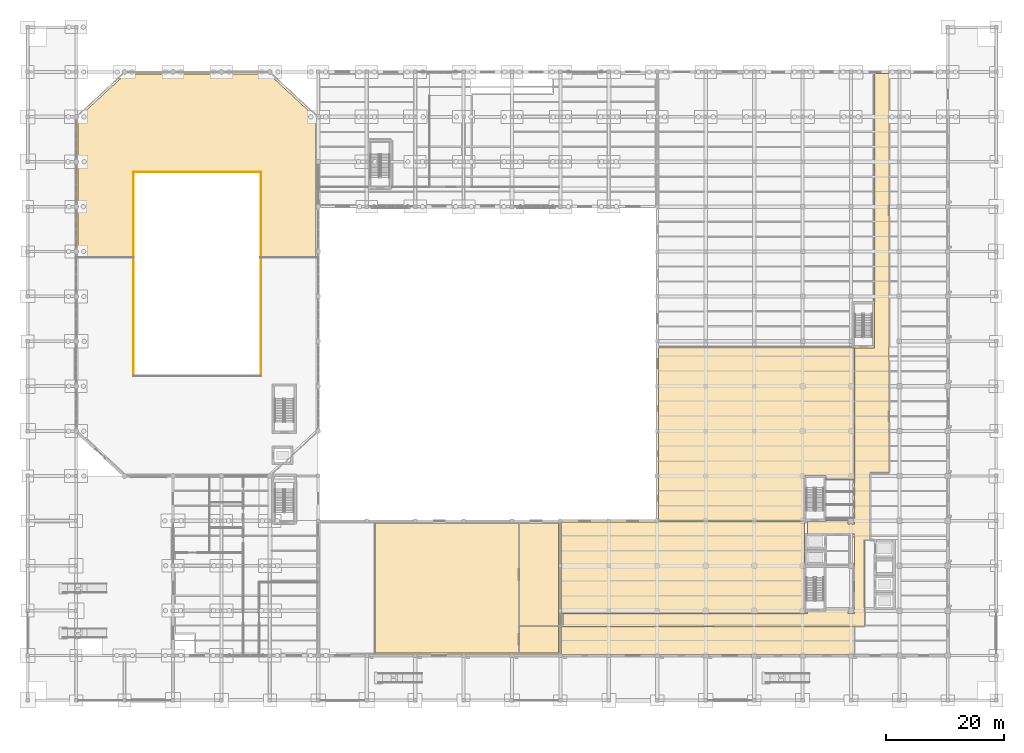
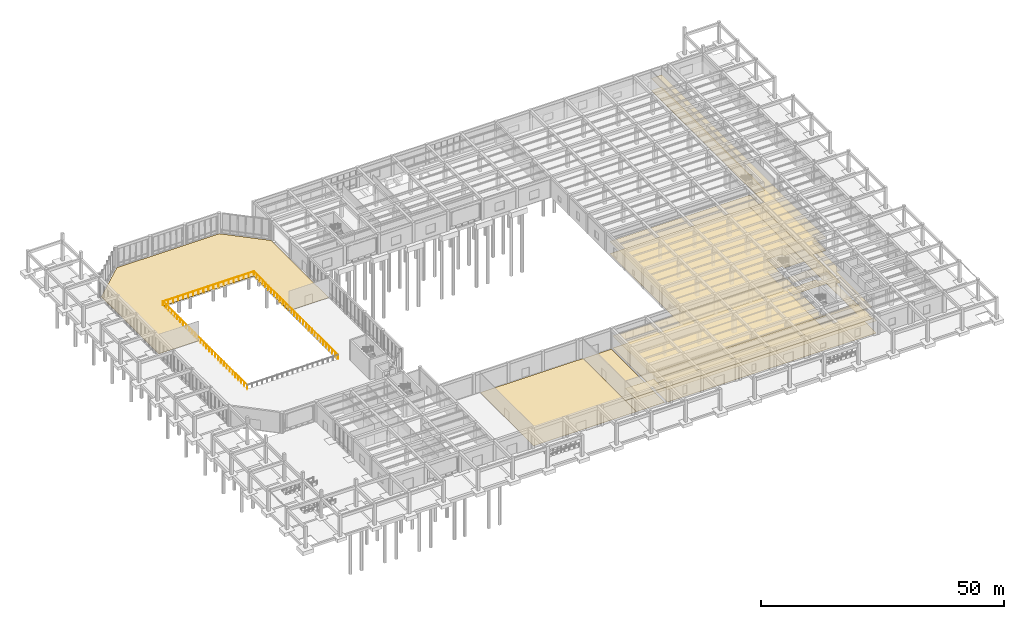
# One storey, part 57 of 64: 13 coverings, 3 railings.
"""IFC4 building model written with IfcOpenShell, lengths in metres."""

from ifc_helpers import new_model, si_unit, direction, frame, origin, origin_2d, place, context, subcontext, project, spatial, polyline, circle, outline, extrude, material, layer, layer_set, type_object, element, save


model = new_model("IFC4")

# Units and contexts
model_context = context("Model", 3, precision=1e-05, world=origin(), true_north=direction((0.0, 1.0)))
body_context = subcontext(model_context, "Body", "Model", "MODEL_VIEW")
ifc_project = project(units=[si_unit("LENGTHUNIT", "METRE"), si_unit("AREAUNIT", "SQUARE_METRE"), si_unit("VOLUMEUNIT", "CUBIC_METRE"), si_unit("PLANEANGLEUNIT", "RADIAN"), si_unit("MASSUNIT", "GRAM", prefix="KILO")], contexts=[model_context])

# Site, building, storey
site_placement = place(None, origin())
site = spatial("IfcSite", under=ifc_project, at=site_placement, CompositionType="ELEMENT")
building_placement = place(site_placement, origin())
building = spatial("IfcBuilding", under=site, at=building_placement, Name="Qandaris Square Conservatory and Botanical Centre", CompositionType="ELEMENT")
storey_placement = place(building_placement, origin())
storey = spatial("IfcBuildingStorey", under=building, at=storey_placement, Name="L00", CompositionType="ELEMENT", Elevation=0.0)

# Coverings
ifc_material_1 = material(Name="Engineered Oak Timber", Category="wood")
ifc_layer_1 = layer(ifc_material_1, 0.02490234375)
ifc_layer_set_1 = layer_set([ifc_layer_1], Name="Engineered Oak Timber")
covering_type_1 = type_object("IfcCoveringType", Name="Acoustic Timber Auditorium Flooring", PredefinedType="FLOORING", material=ifc_layer_set_1)
covering_1_placement = place(storey_placement, origin())
element("IfcCovering", 1, at=covering_1_placement, inside=storey, type_object=covering_type_1, Name="Botanical Symposium Auditorium Flooring", PredefinedType="FLOORING", context=body_context, shape_type="SweptSolid", body=[
    extrude(outline(polyline([(66.800048828125, 39.0), (91.199951171875, 39.0), (91.199951171875, 17.0), (66.800048828125, 17.0), (66.800048828125, 39.0)])), origin(), (0.0, 0.0, 1.0), 0.02490234375),
])
covering_2_placement = place(storey_placement, origin())
element("IfcCovering", 2, at=covering_2_placement, inside=storey, type_object=covering_type_1, Name="Auditorium Stage and Wing Flooring", PredefinedType="FLOORING", context=body_context, shape_type="SweptSolid", body=[
    extrude(outline(polyline([(91.199951171875, 39.0), (97.89990234375, 39.0), (97.89990234375, 21.60009765625), (91.199951171875, 21.60009765625), (91.199951171875, 39.0)])), origin(), (0.0, 0.0, 1.0), 0.02490234375),
])

# Railings
ifc_material_2 = material(Name="Tempered Low-E Glass", Category="glass")
railing_type = type_object("IfcRailingType", Name="Conservatory Skywalk Glazed Balustrade 1150mm", PredefinedType="BALUSTRADE", material=ifc_material_2)
railing_1_placement = place(storey_placement, frame((47.47998046875, 63.919921875, 0.0)))
element("IfcRailing", 3, at=railing_1_placement, inside=storey, type_object=railing_type, Name="Conservatory Sunken Biome Balustrade 2", PredefinedType="BALUSTRADE", context=body_context, shape_type="SweptSolid", body=[
    extrude(circle(Radius=0.02392578125, at=origin_2d()), frame((0.0, 0.0, 1.1259765625), z_axis=(0.0, 1.0, 0.0), x_axis=(-1.0, 0.0, 0.0)), (0.0, 0.0, 1.0), 34.56005859375),
    extrude(circle(Radius=0.02099609375, at=origin_2d()), origin(), (0.0, 0.0, 1.0), 1.101806640625),
    extrude(circle(Radius=0.02099609375, at=origin_2d()), frame((0.0, 1.191650390625, 0.0)), (0.0, 0.0, 1.0), 1.101806640625),
    extrude(circle(Radius=0.02099609375, at=origin_2d()), frame((0.0, 2.383544921875, 0.0)), (0.0, 0.0, 1.0), 1.101806640625),
    extrude(circle(Radius=0.02099609375, at=origin_2d()), frame((0.0, 3.5751953125, 0.0)), (0.0, 0.0, 1.0), 1.101806640625),
    extrude(circle(Radius=0.02099609375, at=origin_2d()), frame((0.0, 4.766845703125, 0.0)), (0.0, 0.0, 1.0), 1.101806640625),
    extrude(circle(Radius=0.02099609375, at=origin_2d()), frame((0.0, 5.958740234375, 0.0)), (0.0, 0.0, 1.0), 1.101806640625),
    extrude(circle(Radius=0.02099609375, at=origin_2d()), frame((0.0, 7.150390625, 0.0)), (0.0, 0.0, 1.0), 1.101806640625),
    extrude(circle(Radius=0.02099609375, at=origin_2d()), frame((0.0, 8.342041015625, 0.0)), (0.0, 0.0, 1.0), 1.101806640625),
    extrude(circle(Radius=0.02099609375, at=origin_2d()), frame((0.0, 9.53369140625, 0.0)), (0.0, 0.0, 1.0), 1.101806640625),
    extrude(circle(Radius=0.02099609375, at=origin_2d()), frame((0.0, 10.7255859375, 0.0)), (0.0, 0.0, 1.0), 1.101806640625),
    extrude(circle(Radius=0.02099609375, at=origin_2d()), frame((0.0, 11.917236328125, 0.0)), (0.0, 0.0, 1.0), 1.101806640625),
    extrude(circle(Radius=0.02099609375, at=origin_2d()), frame((0.0, 13.10888671875, 0.0)), (0.0, 0.0, 1.0), 1.101806640625),
    extrude(circle(Radius=0.02099609375, at=origin_2d()), frame((0.0, 14.30078125, 0.0)), (0.0, 0.0, 1.0), 1.101806640625),
    extrude(circle(Radius=0.02099609375, at=origin_2d()), frame((0.0, 15.492431640625, 0.0)), (0.0, 0.0, 1.0), 1.101806640625),
    extrude(circle(Radius=0.02099609375, at=origin_2d()), frame((0.0, 16.68408203125, 0.0)), (0.0, 0.0, 1.0), 1.101806640625),
    extrude(circle(Radius=0.02099609375, at=origin_2d()), frame((0.0, 17.8759765625, 0.0)), (0.0, 0.0, 1.0), 1.101806640625),
    extrude(circle(Radius=0.02099609375, at=origin_2d()), frame((0.0, 19.067626953125, 0.0)), (0.0, 0.0, 1.0), 1.101806640625),
    extrude(circle(Radius=0.02099609375, at=origin_2d()), frame((0.0, 20.25927734375, 0.0)), (0.0, 0.0, 1.0), 1.101806640625),
    extrude(circle(Radius=0.02099609375, at=origin_2d()), frame((0.0, 21.451171875, 0.0)), (0.0, 0.0, 1.0), 1.101806640625),
    extrude(circle(Radius=0.02099609375, at=origin_2d()), frame((0.0, 22.642822265625, 0.0)), (0.0, 0.0, 1.0), 1.101806640625),
    extrude(circle(Radius=0.02099609375, at=origin_2d()), frame((0.0, 23.83447265625, 0.0)), (0.0, 0.0, 1.0), 1.101806640625),
    extrude(circle(Radius=0.02099609375, at=origin_2d()), frame((0.0, 25.0263671875, 0.0)), (0.0, 0.0, 1.0), 1.101806640625),
    extrude(circle(Radius=0.02099609375, at=origin_2d()), frame((0.0, 26.218017578125, 0.0)), (0.0, 0.0, 1.0), 1.101806640625),
    extrude(circle(Radius=0.02099609375, at=origin_2d()), frame((0.0, 27.40966796875, 0.0)), (0.0, 0.0, 1.0), 1.101806640625),
    extrude(circle(Radius=0.02099609375, at=origin_2d()), frame((0.0, 28.601318359375, 0.0)), (0.0, 0.0, 1.0), 1.101806640625),
    extrude(circle(Radius=0.02099609375, at=origin_2d()), frame((0.0, 29.793212890625, 0.0)), (0.0, 0.0, 1.0), 1.101806640625),
    extrude(circle(Radius=0.02099609375, at=origin_2d()), frame((0.0, 30.98486328125, 0.0)), (0.0, 0.0, 1.0), 1.101806640625),
    extrude(circle(Radius=0.02099609375, at=origin_2d()), frame((0.0, 32.176513671875, 0.0)), (0.0, 0.0, 1.0), 1.101806640625),
    extrude(circle(Radius=0.02099609375, at=origin_2d()), frame((0.0, 33.368408203125, 0.0)), (0.0, 0.0, 1.0), 1.101806640625),
    extrude(circle(Radius=0.02099609375, at=origin_2d()), frame((0.0, 34.56005859375, 0.0)), (0.0, 0.0, 1.0), 1.101806640625),
])
railing_2_placement = place(storey_placement, frame((47.47998046875, 98.47998046875, 0.0)))
element("IfcRailing", 4, at=railing_2_placement, inside=storey, type_object=railing_type, Name="Conservatory Sunken Biome Balustrade 3", PredefinedType="BALUSTRADE", context=body_context, shape_type="SweptSolid", body=[
    extrude(circle(Radius=0.02392578125, at=origin_2d()), frame((0.0, 0.0, 1.1259765625), z_axis=(-1.0, 0.0, 0.0), x_axis=(0.0, -1.0, 0.0)), (0.0, 0.0, 1.0), 21.56005859375),
    extrude(circle(Radius=0.02099609375, at=origin_2d()), origin(), (0.0, 0.0, 1.0), 1.101806640625),
    extrude(circle(Radius=0.02099609375, at=origin_2d()), frame((-1.19775390625, 0.0, 0.0)), (0.0, 0.0, 1.0), 1.101806640625),
    extrude(circle(Radius=0.02099609375, at=origin_2d()), frame((-2.3955078125, 0.0, 0.0)), (0.0, 0.0, 1.0), 1.101806640625),
    extrude(circle(Radius=0.02099609375, at=origin_2d()), frame((-3.59326171875, 0.0, 0.0)), (0.0, 0.0, 1.0), 1.101806640625),
    extrude(circle(Radius=0.02099609375, at=origin_2d()), frame((-4.791015625, 0.0, 0.0)), (0.0, 0.0, 1.0), 1.101806640625),
    extrude(circle(Radius=0.02099609375, at=origin_2d()), frame((-5.989013671875, 0.0, 0.0)), (0.0, 0.0, 1.0), 1.101806640625),
    extrude(circle(Radius=0.02099609375, at=origin_2d()), frame((-7.186767578125, 0.0, 0.0)), (0.0, 0.0, 1.0), 1.101806640625),
    extrude(circle(Radius=0.02099609375, at=origin_2d()), frame((-8.384521484375, 0.0, 0.0)), (0.0, 0.0, 1.0), 1.101806640625),
    extrude(circle(Radius=0.02099609375, at=origin_2d()), frame((-9.582275390625, 0.0, 0.0)), (0.0, 0.0, 1.0), 1.101806640625),
    extrude(circle(Radius=0.02099609375, at=origin_2d()), frame((-10.780029296875, 0.0, 0.0)), (0.0, 0.0, 1.0), 1.101806640625),
    extrude(circle(Radius=0.02099609375, at=origin_2d()), frame((-11.977783203125, 0.0, 0.0)), (0.0, 0.0, 1.0), 1.101806640625),
    extrude(circle(Radius=0.02099609375, at=origin_2d()), frame((-13.175537109375, 0.0, 0.0)), (0.0, 0.0, 1.0), 1.101806640625),
    extrude(circle(Radius=0.02099609375, at=origin_2d()), frame((-14.373291015625, 0.0, 0.0)), (0.0, 0.0, 1.0), 1.101806640625),
    extrude(circle(Radius=0.02099609375, at=origin_2d()), frame((-15.571044921875, 0.0, 0.0)), (0.0, 0.0, 1.0), 1.101806640625),
    extrude(circle(Radius=0.02099609375, at=origin_2d()), frame((-16.76904296875, 0.0, 0.0)), (0.0, 0.0, 1.0), 1.101806640625),
    extrude(circle(Radius=0.02099609375, at=origin_2d()), frame((-17.966796875, 0.0, 0.0)), (0.0, 0.0, 1.0), 1.101806640625),
    extrude(circle(Radius=0.02099609375, at=origin_2d()), frame((-19.16455078125, 0.0, 0.0)), (0.0, 0.0, 1.0), 1.101806640625),
    extrude(circle(Radius=0.02099609375, at=origin_2d()), frame((-20.3623046875, 0.0, 0.0)), (0.0, 0.0, 1.0), 1.101806640625),
    extrude(circle(Radius=0.02099609375, at=origin_2d()), frame((-21.56005859375, 0.0, 0.0)), (0.0, 0.0, 1.0), 1.101806640625),
])
railing_3_placement = place(storey_placement, frame((25.919921875, 98.47998046875, 0.0)))
element("IfcRailing", 5, at=railing_3_placement, inside=storey, type_object=railing_type, Name="Conservatory Sunken Biome Balustrade 4", PredefinedType="BALUSTRADE", context=body_context, shape_type="SweptSolid", body=[
    extrude(circle(Radius=0.02392578125, at=origin_2d()), frame((0.0, 0.0, 1.1259765625), z_axis=(0.0, -1.0, 0.0), x_axis=(1.0, 0.0, 0.0)), (0.0, 0.0, 1.0), 34.56005859375),
    extrude(circle(Radius=0.02099609375, at=origin_2d()), origin(), (0.0, 0.0, 1.0), 1.101806640625),
    extrude(circle(Radius=0.02099609375, at=origin_2d()), frame((0.0, -1.191650390625, 0.0)), (0.0, 0.0, 1.0), 1.101806640625),
    extrude(circle(Radius=0.02099609375, at=origin_2d()), frame((0.0, -2.383544921875, 0.0)), (0.0, 0.0, 1.0), 1.101806640625),
    extrude(circle(Radius=0.02099609375, at=origin_2d()), frame((0.0, -3.5751953125, 0.0)), (0.0, 0.0, 1.0), 1.101806640625),
    extrude(circle(Radius=0.02099609375, at=origin_2d()), frame((0.0, -4.766845703125, 0.0)), (0.0, 0.0, 1.0), 1.101806640625),
    extrude(circle(Radius=0.02099609375, at=origin_2d()), frame((0.0, -5.958740234375, 0.0)), (0.0, 0.0, 1.0), 1.101806640625),
    extrude(circle(Radius=0.02099609375, at=origin_2d()), frame((0.0, -7.150390625, 0.0)), (0.0, 0.0, 1.0), 1.101806640625),
    extrude(circle(Radius=0.02099609375, at=origin_2d()), frame((0.0, -8.342041015625, 0.0)), (0.0, 0.0, 1.0), 1.101806640625),
    extrude(circle(Radius=0.02099609375, at=origin_2d()), frame((0.0, -9.53369140625, 0.0)), (0.0, 0.0, 1.0), 1.101806640625),
    extrude(circle(Radius=0.02099609375, at=origin_2d()), frame((0.0, -10.7255859375, 0.0)), (0.0, 0.0, 1.0), 1.101806640625),
    extrude(circle(Radius=0.02099609375, at=origin_2d()), frame((0.0, -11.917236328125, 0.0)), (0.0, 0.0, 1.0), 1.101806640625),
    extrude(circle(Radius=0.02099609375, at=origin_2d()), frame((0.0, -13.10888671875, 0.0)), (0.0, 0.0, 1.0), 1.101806640625),
    extrude(circle(Radius=0.02099609375, at=origin_2d()), frame((0.0, -14.30078125, 0.0)), (0.0, 0.0, 1.0), 1.101806640625),
    extrude(circle(Radius=0.02099609375, at=origin_2d()), frame((0.0, -15.492431640625, 0.0)), (0.0, 0.0, 1.0), 1.101806640625),
    extrude(circle(Radius=0.02099609375, at=origin_2d()), frame((0.0, -16.68408203125, 0.0)), (0.0, 0.0, 1.0), 1.101806640625),
    extrude(circle(Radius=0.02099609375, at=origin_2d()), frame((0.0, -17.8759765625, 0.0)), (0.0, 0.0, 1.0), 1.101806640625),
    extrude(circle(Radius=0.02099609375, at=origin_2d()), frame((0.0, -19.067626953125, 0.0)), (0.0, 0.0, 1.0), 1.101806640625),
    extrude(circle(Radius=0.02099609375, at=origin_2d()), frame((0.0, -20.25927734375, 0.0)), (0.0, 0.0, 1.0), 1.101806640625),
    extrude(circle(Radius=0.02099609375, at=origin_2d()), frame((0.0, -21.451171875, 0.0)), (0.0, 0.0, 1.0), 1.101806640625),
    extrude(circle(Radius=0.02099609375, at=origin_2d()), frame((0.0, -22.642822265625, 0.0)), (0.0, 0.0, 1.0), 1.101806640625),
    extrude(circle(Radius=0.02099609375, at=origin_2d()), frame((0.0, -23.83447265625, 0.0)), (0.0, 0.0, 1.0), 1.101806640625),
    extrude(circle(Radius=0.02099609375, at=origin_2d()), frame((0.0, -25.0263671875, 0.0)), (0.0, 0.0, 1.0), 1.101806640625),
    extrude(circle(Radius=0.02099609375, at=origin_2d()), frame((0.0, -26.218017578125, 0.0)), (0.0, 0.0, 1.0), 1.101806640625),
    extrude(circle(Radius=0.02099609375, at=origin_2d()), frame((0.0, -27.40966796875, 0.0)), (0.0, 0.0, 1.0), 1.101806640625),
    extrude(circle(Radius=0.02099609375, at=origin_2d()), frame((0.0, -28.601318359375, 0.0)), (0.0, 0.0, 1.0), 1.101806640625),
    extrude(circle(Radius=0.02099609375, at=origin_2d()), frame((0.0, -29.793212890625, 0.0)), (0.0, 0.0, 1.0), 1.101806640625),
    extrude(circle(Radius=0.02099609375, at=origin_2d()), frame((0.0, -30.98486328125, 0.0)), (0.0, 0.0, 1.0), 1.101806640625),
    extrude(circle(Radius=0.02099609375, at=origin_2d()), frame((0.0, -32.176513671875, 0.0)), (0.0, 0.0, 1.0), 1.101806640625),
    extrude(circle(Radius=0.02099609375, at=origin_2d()), frame((0.0, -33.368408203125, 0.0)), (0.0, 0.0, 1.0), 1.101806640625),
    extrude(circle(Radius=0.02099609375, at=origin_2d()), frame((0.0, -34.56005859375, 0.0)), (0.0, 0.0, 1.0), 1.101806640625),
])

# Coverings
ifc_material_3 = material(Name="Honed Qatari Limestone", Category="masonry")
ifc_layer_2 = layer(ifc_material_3, 0.030029296875)
ifc_layer_set_2 = layer_set([ifc_layer_2], Name="Honed Qatari Limestone")
covering_type_2 = type_object("IfcCoveringType", Name="Honed Qatari Limestone Concourse Paving", PredefinedType="FLOORING", material=ifc_layer_set_2)
covering_3_placement = place(storey_placement, origin())
element("IfcCovering", 6, at=covering_3_placement, inside=storey, type_object=covering_type_2, Name="Main Circulation Corridor L00 Flooring", PredefinedType="FLOORING", context=body_context, shape_type="SweptSolid", body=[
    extrude(outline(polyline([(140.0, 24.10009765625), (143.199951171875, 24.10009765625), (143.199951171875, 24.280029296875), (146.85009765625, 24.280029296875), (146.85009765625, 23.699951171875), (147.949951171875, 23.699951171875), (147.949951171875, 24.75), (147.949951171875, 31.75), (147.949951171875, 36.199951171875), (147.949951171875, 37.199951171875), (140.0, 37.199951171875), (140.0, 38.89990234375), (140.0, 39.300048828125), (143.199951171875, 39.300048828125), (143.199951171875, 39.47998046875), (146.85009765625, 39.47998046875), (146.85009765625, 38.89990234375), (147.949951171875, 38.89990234375), (147.949951171875, 39.89990234375), (147.949951171875, 42.1201171875), (147.949951171875, 44.340087890625), (147.949951171875, 46.419921875), (147.949951171875, 66.5), (147.949951171875, 68.699951171875), (151.39990234375, 68.699951171875), (151.39990234375, 76.5), (151.35009765625, 76.5), (151.35009765625, 115.10009765625), (153.85009765625, 115.10009765625), (153.85009765625, 68.85009765625), (153.85009765625, 66.5), (153.85009765625, 47.60009765625), (150.64990234375, 47.60009765625), (150.64990234375, 36.199951171875), (149.699951171875, 36.199951171875), (149.699951171875, 36.050048828125), (149.699951171875, 24.75), (149.699951171875, 23.699951171875), (149.699951171875, 21.550048828125), (147.949951171875, 21.550048828125), (98.60009765625, 21.550048828125), (98.60009765625, 23.699951171875), (140.0, 23.699951171875), (140.0, 24.10009765625)])), origin(), (0.0, 0.0, 1.0), 0.030029296875),
])
covering_4_placement = place(storey_placement, origin())
element("IfcCovering", 7, at=covering_4_placement, inside=storey, type_object=covering_type_2, Name="Botanical Research Tower Entrance Lobby Flooring", PredefinedType="FLOORING", context=body_context, shape_type="SweptSolid", body=[
    extrude(outline(polyline([(98.60009765625, 21.550048828125), (147.949951171875, 21.550048828125), (147.949951171875, 16.780029296875), (98.3798828125, 16.780029296875), (98.3798828125, 21.550048828125), (98.60009765625, 21.550048828125)])), origin(), (0.0, 0.0, 1.0), 0.030029296875),
])
covering_5_placement = place(storey_placement, origin())
element("IfcCovering", 8, at=covering_5_placement, inside=storey, type_object=covering_type_2, Name="Research Reception and Security Desk Flooring", PredefinedType="FLOORING", context=body_context, shape_type="SweptSolid", body=[
    extrude(outline(polyline([(114.635009765625, 39.223388671875), (114.65234375, 39.227783203125), (114.6689453125, 39.233642578125), (114.684814453125, 39.2412109375), (114.699462890625, 39.25), (139.5, 39.25), (139.5, 31.89990234375), (139.39990234375, 31.89990234375), (139.39990234375, 24.10009765625), (139.5, 24.10009765625), (139.5, 23.699951171875), (98.60009765625, 23.699951171875), (98.3798828125, 23.699951171875), (98.3798828125, 39.219970703125), (114.60009765625, 39.219970703125), (114.61767578125, 39.220947265625), (114.635009765625, 39.223388671875)])), origin(), (0.0, 0.0, 1.0), 0.030029296875),
])
covering_6_placement = place(storey_placement, origin())
element("IfcCovering", 9, at=covering_6_placement, inside=storey, type_object=covering_type_2, Name="Conservatory Monsoon Wadi Palm Hall Flooring", PredefinedType="FLOORING", context=body_context, shape_type="SweptSolid", body=[
    extrude(outline(polyline([(48.86279296875, 115.050048828125), (56.85009765625, 107.647216796875), (56.85009765625, 84.0), (47.39990234375, 84.0), (47.39990234375, 98.39990234375), (26.0, 98.39990234375), (26.0, 84.0), (16.550048828125, 84.0), (16.550048828125, 107.647216796875), (24.537353515625, 115.050048828125), (48.86279296875, 115.050048828125)])), origin(), (0.0, 0.0, 1.0), 0.030029296875),
])
covering_7_placement = place(storey_placement, origin())
element("IfcCovering", 10, at=covering_7_placement, inside=storey, type_object=covering_type_2, Name="Speakers Green Room Flooring", PredefinedType="FLOORING", context=body_context, shape_type="SweptSolid", body=[
    extrude(outline(polyline([(91.199951171875, 21.60009765625), (97.89990234375, 21.60009765625), (97.89990234375, 17.0), (91.199951171875, 17.0), (91.199951171875, 21.60009765625)])), origin(), (0.0, 0.0, 1.0), 0.030029296875),
])
ifc_material_4 = material(Name="Gypsum Plasterboard", Category="gypsum")
ifc_layer_3 = layer(ifc_material_4, 0.02490234375)
ifc_layer_set_3 = layer_set([ifc_layer_3], Name="Gypsum Plasterboard")
covering_type_3 = type_object("IfcCoveringType", Name="Perforated Acoustic Lab Ceiling Tile", PredefinedType="CEILING", material=ifc_layer_set_3)
covering_8_placement = place(storey_placement, frame((0.0, 0.0, 3.050048828125)))
element("IfcCovering", 11, at=covering_8_placement, inside=storey, type_object=covering_type_3, Name="Main Circulation Corridor L00 Ceiling", PredefinedType="CEILING", context=body_context, shape_type="SweptSolid", body=[
    extrude(outline(polyline([(140.0, 24.10009765625), (143.199951171875, 24.10009765625), (143.199951171875, 24.280029296875), (146.85009765625, 24.280029296875), (146.85009765625, 23.699951171875), (147.949951171875, 23.699951171875), (147.949951171875, 24.75), (147.949951171875, 31.75), (147.949951171875, 36.199951171875), (147.949951171875, 37.199951171875), (140.0, 37.199951171875), (140.0, 38.89990234375), (140.0, 39.300048828125), (143.199951171875, 39.300048828125), (143.199951171875, 39.47998046875), (146.85009765625, 39.47998046875), (146.85009765625, 38.89990234375), (147.949951171875, 38.89990234375), (147.949951171875, 39.89990234375), (147.949951171875, 42.1201171875), (147.949951171875, 44.340087890625), (147.949951171875, 46.419921875), (147.949951171875, 66.5), (147.949951171875, 68.699951171875), (151.39990234375, 68.699951171875), (151.39990234375, 76.5), (151.35009765625, 76.5), (151.35009765625, 115.10009765625), (153.85009765625, 115.10009765625), (153.85009765625, 68.85009765625), (153.85009765625, 66.5), (153.85009765625, 47.60009765625), (150.64990234375, 47.60009765625), (150.64990234375, 36.199951171875), (149.699951171875, 36.199951171875), (149.699951171875, 36.050048828125), (149.699951171875, 24.75), (149.699951171875, 23.699951171875), (149.699951171875, 21.550048828125), (147.949951171875, 21.550048828125), (98.60009765625, 21.550048828125), (98.60009765625, 23.699951171875), (140.0, 23.699951171875), (140.0, 24.10009765625)])), origin(), (0.0, 0.0, 1.0), 0.02490234375),
])
covering_9_placement = place(storey_placement, frame((0.0, 0.0, 3.050048828125)))
element("IfcCovering", 12, at=covering_9_placement, inside=storey, type_object=covering_type_3, Name="Plant Quarantine Receiving Laboratory Ceiling", PredefinedType="CEILING", context=body_context, shape_type="SweptSolid", body=[
    extrude(outline(polyline([(147.949951171875, 66.5), (147.949951171875, 46.419921875), (143.199951171875, 46.419921875), (143.199951171875, 47.10009765625), (139.39990234375, 47.10009765625), (139.39990234375, 39.39990234375), (114.780029296875, 39.39990234375), (114.780029296875, 68.800048828125), (147.60009765625, 68.800048828125), (147.60009765625, 68.699951171875), (147.949951171875, 68.699951171875), (147.949951171875, 66.5)])), origin(), (0.0, 0.0, 1.0), 0.02490234375),
])
ifc_material_5 = material(Name="Epoxy Resin Screed", Category="finish")
ifc_layer_4 = layer(ifc_material_5, 0.014892578125)
ifc_layer_set_4 = layer_set([ifc_layer_4], Name="Epoxy Resin Screed")
covering_type_4 = type_object("IfcCoveringType", Name="Seamless Epoxy Laboratory Flooring", PredefinedType="FLOORING", material=ifc_layer_set_4)
covering_10_placement = place(storey_placement, origin())
element("IfcCovering", 13, at=covering_10_placement, inside=storey, type_object=covering_type_4, Name="Plant Quarantine Receiving Laboratory Flooring", PredefinedType="FLOORING", context=body_context, shape_type="SweptSolid", body=[
    extrude(outline(polyline([(147.949951171875, 66.5), (147.949951171875, 46.419921875), (143.199951171875, 46.419921875), (143.199951171875, 47.10009765625), (139.39990234375, 47.10009765625), (139.39990234375, 39.39990234375), (114.780029296875, 39.39990234375), (114.780029296875, 68.800048828125), (147.60009765625, 68.800048828125), (147.60009765625, 68.699951171875), (147.949951171875, 68.699951171875), (147.949951171875, 66.5)])), origin(), (0.0, 0.0, 1.0), 0.014892578125),
])
ifc_layer_5 = layer(ifc_material_1, 0.0400390625)
ifc_layer_set_5 = layer_set([ifc_layer_5], Name="Engineered Oak Timber")
covering_type_5 = type_object("IfcCoveringType", Name="Slatted Oak Acoustic Gallery Ceiling", PredefinedType="CEILING", material=ifc_layer_set_5)
covering_11_placement = place(storey_placement, frame((0.0, 0.0, 3.050048828125)))
element("IfcCovering", 14, at=covering_11_placement, inside=storey, type_object=covering_type_5, Name="Botanical Research Tower Entrance Lobby Ceiling", PredefinedType="CEILING", context=body_context, shape_type="SweptSolid", body=[
    extrude(outline(polyline([(98.60009765625, 21.550048828125), (147.949951171875, 21.550048828125), (147.949951171875, 16.780029296875), (98.3798828125, 16.780029296875), (98.3798828125, 21.550048828125), (98.60009765625, 21.550048828125)])), origin(), (0.0, 0.0, 1.0), 0.0400390625),
])
covering_12_placement = place(storey_placement, frame((0.0, 0.0, 3.050048828125)))
element("IfcCovering", 15, at=covering_12_placement, inside=storey, type_object=covering_type_5, Name="Research Reception and Security Desk Ceiling", PredefinedType="CEILING", context=body_context, shape_type="SweptSolid", body=[
    extrude(outline(polyline([(114.635009765625, 39.223388671875), (114.65234375, 39.227783203125), (114.6689453125, 39.233642578125), (114.684814453125, 39.2412109375), (114.699462890625, 39.25), (139.5, 39.25), (139.5, 31.89990234375), (139.39990234375, 31.89990234375), (139.39990234375, 24.10009765625), (139.5, 24.10009765625), (139.5, 23.699951171875), (98.60009765625, 23.699951171875), (98.3798828125, 23.699951171875), (98.3798828125, 39.219970703125), (114.60009765625, 39.219970703125), (114.61767578125, 39.220947265625), (114.635009765625, 39.223388671875)])), origin(), (0.0, 0.0, 1.0), 0.0400390625),
])
covering_13_placement = place(storey_placement, frame((0.0, 0.0, 3.050048828125)))
element("IfcCovering", 16, at=covering_13_placement, inside=storey, type_object=covering_type_5, Name="Speakers Green Room Ceiling", PredefinedType="CEILING", context=body_context, shape_type="SweptSolid", body=[
    extrude(outline(polyline([(91.199951171875, 21.60009765625), (97.89990234375, 21.60009765625), (97.89990234375, 17.0), (91.199951171875, 17.0), (91.199951171875, 21.60009765625)])), origin(), (0.0, 0.0, 1.0), 0.0400390625),
])

save(model, "model.ifc")
